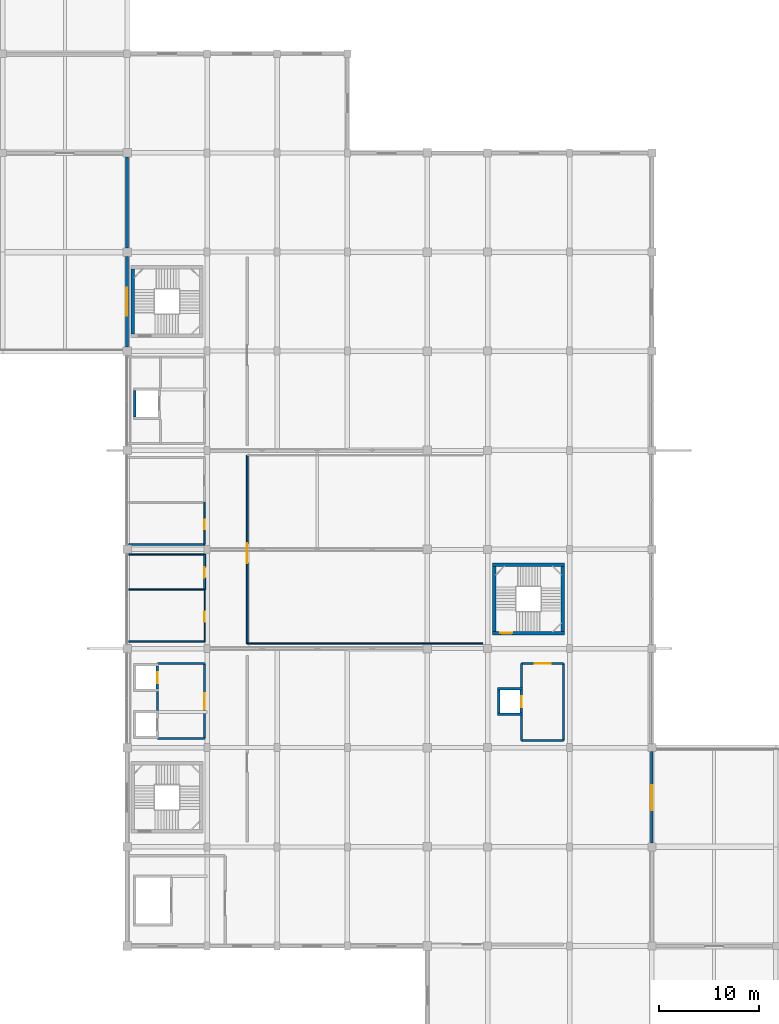
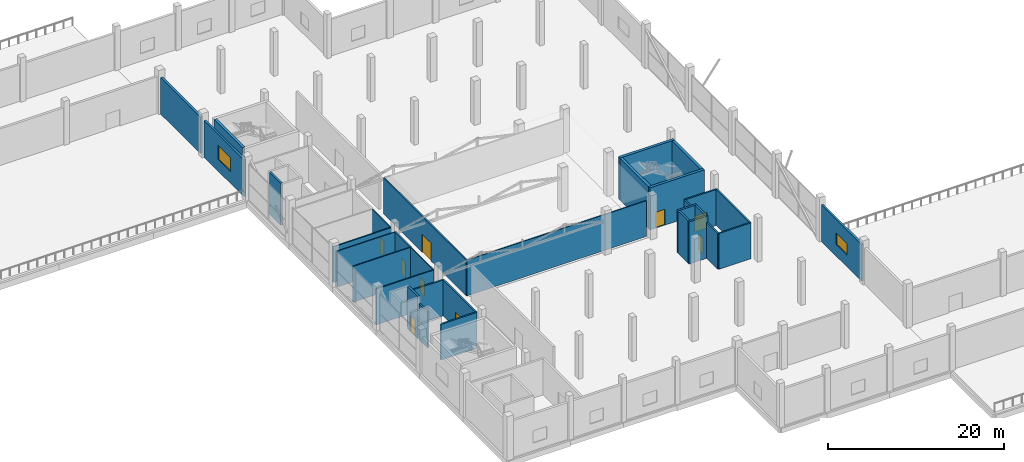
# One storey, part 27 of 46: 32 walls, 9 doors, 2 windows, 11 openings.
"""IFC4 building model written with IfcOpenShell, lengths in metres."""

import ifcopenshell
import ifcopenshell.guid

model = None  # the IFC model being written
_history = None  # IfcOwnerHistory: only IFC2X3 demands one
_inside = {}  # id of a spatial element -> (the spatial element, [elements in it])
_under = {}  # id of a project, library or spatial element -> (it, [spatial elements below it])
_declared = {}  # id of a project -> (the project, [libraries it declares])
_typed = {}  # id of a type object -> (the type object, [elements of that type])
_made_of = {}  # id of a material, layer set ... -> (it, [elements and type objects made of it])


def new_model(schema):
    """Start an empty IFC model of exactly this schema.

    Asked for "IFC4X3", IfcOpenShell would pick the latest addendum, in which some entities
    have other attributes; the version numbers below select the first issue.
    IFC2X3 requires an IfcOwnerHistory on every rooted entity: one is made here for all.
    """
    global model, _history
    if schema == "IFC4X3":
        model = ifcopenshell.file(schema_version=(4, 3, 0, 0))
    else:
        model = ifcopenshell.file(schema=schema)
    _inside.clear()
    _under.clear()
    _declared.clear()
    _typed.clear()
    _made_of.clear()
    _history = None
    if model.schema == "IFC2X3":
        org = make("IfcOrganization", Name="unknown")
        user = make(
            "IfcPersonAndOrganization",
            ThePerson=make("IfcPerson", FamilyName="unknown"),
            TheOrganization=org,
        )
        app = make(
            "IfcApplication",
            ApplicationDeveloper=org,
            Version="unknown",
            ApplicationFullName="unknown",
            ApplicationIdentifier="unknown",
        )
        _history = make(
            "IfcOwnerHistory",
            OwningUser=user,
            OwningApplication=app,
            ChangeAction="ADDED",
            CreationDate=0,
        )
    return model


def make(cls, **values):
    """One entity of the class cls with the attributes given. An attribute that is None is left unset."""
    return model.create_entity(
        cls, **{name: value for name, value in values.items() if value is not None}
    )


def rooted(cls, **values):
    """An entity with a GlobalId (a new one), such as an element, a storey or a relation."""
    return make(cls, GlobalId=ifcopenshell.guid.new(), OwnerHistory=_history, **values)


def si_unit(unit_type, name, prefix=None):
    """IfcSIUnit, for example si_unit("LENGTHUNIT", "METRE", prefix="MILLI")."""
    return make("IfcSIUnit", UnitType=unit_type, Prefix=prefix, Name=name)


def assignment(units):
    """IfcUnitAssignment: the units of a project."""
    return None if units is None else make("IfcUnitAssignment", Units=units)


def point(xyz):
    """IfcCartesianPoint."""
    return None if xyz is None else make("IfcCartesianPoint", Coordinates=xyz)


def direction(xyz):
    """IfcDirection."""
    return None if xyz is None else make("IfcDirection", DirectionRatios=xyz)


def frame(location, z_axis=None, x_axis=None):
    """IfcAxis2Placement3D, a coordinate frame: its origin and axes. An axis left out is left unset."""
    return make(
        "IfcAxis2Placement3D",
        Location=point(location),
        Axis=direction(z_axis),
        RefDirection=direction(x_axis),
    )


def frame_2d(location, x_axis=None):
    """IfcAxis2Placement2D, a coordinate frame in the plane: its origin and x axis."""
    return make(
        "IfcAxis2Placement2D", Location=point(location), RefDirection=direction(x_axis)
    )


def origin():
    """The frame at (0, 0, 0) with its axes left unset."""
    return frame((0.0, 0.0, 0.0))


def place(relative_to, where):
    """IfcLocalPlacement: puts the frame where relative to a parent placement (None: the world)."""
    return make(
        "IfcLocalPlacement", PlacementRelTo=relative_to, RelativePlacement=where
    )


def context(
    kind, dimensions, precision=None, world=None, true_north=None, identifier=None
):
    """IfcGeometricRepresentationContext, for example the 3D "Model" context."""
    return make(
        "IfcGeometricRepresentationContext",
        ContextIdentifier=identifier,
        ContextType=kind,
        CoordinateSpaceDimension=dimensions,
        Precision=precision,
        WorldCoordinateSystem=world,
        TrueNorth=true_north,
    )


def subcontext(parent, identifier, kind, view, scale=None):
    """IfcGeometricRepresentationSubContext, for example "Body" below "Model"."""
    return make(
        "IfcGeometricRepresentationSubContext",
        ContextIdentifier=identifier,
        ContextType=kind,
        ParentContext=parent,
        TargetScale=scale,
        TargetView=view,
    )


def project(units=None, contexts=None):
    """IfcProject with its units and contexts."""
    return rooted(
        "IfcProject",
        Name="project",
        RepresentationContexts=contexts,
        UnitsInContext=assignment(units),
    )


def spatial(cls, under=None, at=None, **own):
    """A site, building, storey or space (cls), placed at a placement, below another one or the project."""
    s = rooted(cls, ObjectPlacement=at, **own)
    if under is not None:
        _under.setdefault(under.id(), (under, []))[1].append(s)
    return s


def profile(cls, at=None, kind="AREA", **sizes):
    """A parametric profile (cls). Its sizes go by their IFC names, for example OverallWidth=200.0."""
    return make(cls, ProfileType=kind, Position=at, **sizes)


def rectangle(**sizes):
    """IfcRectangleProfileDef."""
    return profile("IfcRectangleProfileDef", **sizes)


def extrude(swept, where, along, depth):
    """IfcExtrudedAreaSolid: the profile swept, set in the frame where, extruded along a direction by depth."""
    return make(
        "IfcExtrudedAreaSolid",
        SweptArea=swept,
        Position=where,
        ExtrudedDirection=direction(along),
        Depth=depth,
    )


def shape(context_of_items, identifier, shape_type, items):
    """IfcShapeRepresentation: the items that make up one representation, for example the "Body"."""
    return make(
        "IfcShapeRepresentation",
        ContextOfItems=context_of_items,
        RepresentationIdentifier=identifier,
        RepresentationType=shape_type,
        Items=items,
    )


def material(Name=None, Category=None):
    """IfcMaterial."""
    return make("IfcMaterial", Name=Name, Category=Category)


def layer(
    of_material, thickness, ventilated=None, Name=None, Category=None, Priority=None
):
    """IfcMaterialLayer: one layer of a wall or slab, of a material (None: an air gap)."""
    return make(
        "IfcMaterialLayer",
        Material=of_material,
        LayerThickness=thickness,
        IsVentilated=ventilated,
        Name=Name,
        Category=Category,
        Priority=Priority,
    )


def layer_set(layers, Name=None):
    """IfcMaterialLayerSet."""
    return make("IfcMaterialLayerSet", MaterialLayers=layers, LayerSetName=Name)


def made_of(thing, what):
    """Note that an element or type object is made of a material, layer set ...; save() writes the relation."""
    if what is not None:
        _made_of.setdefault(what.id(), (what, []))[1].append(thing)
    return thing


def type_object(cls, material=None, **own):
    """A type object (cls), such as IfcWallType, which elements share."""
    return made_of(rooted(cls, **own), material)


def element(
    cls,
    number,
    at=None,
    inside=None,
    cuts=None,
    type_object=None,
    material=None,
    context=None,
    identifier="Body",
    shape_type=None,
    held_by="IfcProductDefinitionShape",
    body=None,
    shapes=None,
    **own,
):
    """One element of the class cls, such as IfcWall. Its Tag is "e" and its number.

    at: its placement. inside: the storey or other place that contains it. cuts: it is an
    opening in that element (IfcRelVoidsElement). A single representation is given by context,
    identifier, shape_type and body (its items); several are given by shapes. held_by: the class
    of the entity that holds the representations. save() writes the other relations.
    """
    e = rooted(cls, Tag="e%d" % number, ObjectPlacement=at, **own)
    if body is not None:
        shapes = [shape(context, identifier, shape_type, body)]
    if shapes is not None:
        e.Representation = make(held_by, Representations=shapes)
    if inside is not None:
        _inside.setdefault(inside.id(), (inside, []))[1].append(e)
    if cuts is not None:
        rooted(
            "IfcRelVoidsElement", RelatingBuildingElement=cuts, RelatedOpeningElement=e
        )
    if type_object is not None:
        _typed.setdefault(type_object.id(), (type_object, []))[1].append(e)
    return made_of(e, material)


def fill(opening, filler):
    """IfcRelFillsElement: the door or window that sits in an opening."""
    return rooted(
        "IfcRelFillsElement",
        RelatingOpeningElement=opening,
        RelatedBuildingElement=filler,
    )


def aggregate(whole, parts):
    """IfcRelAggregates: a whole, such as a stair, and the parts it consists of."""
    return rooted("IfcRelAggregates", RelatingObject=whole, RelatedObjects=parts)


def save(model, path):
    """Write the relations noted so far, then the file.

    IfcRelAggregates (storeys below a building ...), IfcRelContainedInSpatialStructure (elements
    in a storey), IfcRelDefinesByType, IfcRelAssociatesMaterial and IfcRelDeclares: one each for
    every whole, place, type object, material and project.
    """
    for whole, parts in _under.values():
        aggregate(whole, parts)
    for where, things in _inside.values():
        rooted(
            "IfcRelContainedInSpatialStructure",
            RelatedElements=things,
            RelatingStructure=where,
        )
    for kind, things in _typed.values():
        rooted("IfcRelDefinesByType", RelatedObjects=things, RelatingType=kind)
    for what, things in _made_of.values():
        rooted("IfcRelAssociatesMaterial", RelatedObjects=things, RelatingMaterial=what)
    for by, libraries in _declared.values():
        rooted("IfcRelDeclares", RelatingContext=by, RelatedDefinitions=libraries)
    model.write(path)


model = new_model("IFC4")

# Units and contexts
model_context = context("Model", 3, precision=1e-05, world=origin(), true_north=direction((0.0, 1.0)))
body_context = subcontext(model_context, "Body", "Model", "MODEL_VIEW")
ifc_project = project(units=[si_unit("LENGTHUNIT", "METRE"), si_unit("AREAUNIT", "SQUARE_METRE"), si_unit("VOLUMEUNIT", "CUBIC_METRE"), si_unit("PLANEANGLEUNIT", "RADIAN"), si_unit("MASSUNIT", "GRAM", prefix="KILO")], contexts=[model_context])

# Site, building, storey
site_placement = place(None, origin())
site = spatial("IfcSite", under=ifc_project, at=site_placement, CompositionType="ELEMENT")
building_placement = place(site_placement, origin())
building = spatial("IfcBuilding", under=site, at=building_placement, Name="Sillaruma Civic Art Gallery", CompositionType="ELEMENT")
storey_placement = place(building_placement, frame((0.0, 0.0, 16.320068359375)))
storey = spatial("IfcBuildingStorey", under=building, at=storey_placement, Name="L03", CompositionType="ELEMENT", Elevation=16.320068359375)

# Wall
ifc_material_1 = material(Name="Concrete H40 (40 MPa)", Category="concrete")
ifc_layer_1 = layer(ifc_material_1, 0.35009765625, Name="Concrete H40 (40 MPa)")
ifc_layer_set_1 = layer_set([ifc_layer_1], Name="Concrete H40 (40 MPa)")
wall_type_1 = type_object("IfcWallType", Name="WAL-CORE-350", PredefinedType="SHEAR", material=ifc_layer_set_1)
wall_1_placement = place(storey_placement, frame((62.5849609375, 80.909912109375, 0.0), z_axis=(0.0, 0.0, 1.0), x_axis=(0.0, 1.0, 0.0)))
element("IfcWall", 1, at=wall_1_placement, inside=storey, type_object=wall_type_1, Name="Stair Core Shear Wall W-CORE-350 (ST-02:L03:W)", PredefinedType="SHEAR", context=body_context, shape_type="SweptSolid", body=[
    extrude(rectangle(XDim=6.47998046875, YDim=0.35009765625, at=frame_2d((3.239990234375, 0.0))), origin(), (0.0, 0.0, 1.0), 5.85986328125),
])

# Wall, opening, door
wall_2_placement = place(storey_placement, frame((98.510009765625, 51.034912109375, 0.0), z_axis=(0.0, 0.0, 1.0), x_axis=(1.0, 0.0, 0.0)))
wall_2 = element("IfcWall", 2, at=wall_2_placement, inside=storey, type_object=wall_type_1, Name="Stair Core Shear Wall W-CORE-350 (ST-04:L03:S)", PredefinedType="SHEAR", context=body_context, shape_type="SweptSolid", body=[
    extrude(rectangle(XDim=7.179931640625, YDim=0.35009765625, at=frame_2d((3.58984375, 0.0))), origin(), (0.0, 0.0, 1.0), 5.85986328125),
])
opening_1_placement = place(wall_2_placement, frame((0.77001953125, 0.0, 0.0)))
opening_1 = element("IfcOpeningElement", 3, at=opening_1_placement, cuts=wall_2, Name="Opening D-STAIR", PredefinedType="OPENING", context=body_context, shape_type="SweptSolid", body=[
    extrude(rectangle(XDim=1.199951171875, YDim=2.199951171875, at=frame_2d((0.60009765625, 1.10009765625))), frame((0.0, 0.18505859375, 0.0), z_axis=(0.0, -1.0, 0.0), x_axis=(1.0, 0.0, 0.0)), (0.0, 0.0, 1.0), 0.3701171875),
])
ifc_material_2 = material(Name="Galvanised Steel ASTM A653 Gr.50", Category="steel")
door_type_1 = type_object("IfcDoorType", Name="DOR-STAIR-120", OperationType="NOTDEFINED", PredefinedType="DOOR", material=ifc_material_2)
door_1_placement = place(opening_1_placement, origin())
door_1 = element("IfcDoor", 4, at=door_1_placement, inside=storey, type_object=door_type_1, Name="Protected Stair Fire Door (ST-04:L03)", OperationType="SINGLE_SWING_LEFT", OverallHeight=2.199951171875, OverallWidth=1.199951171875, PredefinedType="DOOR", context=body_context, shape_type="SweptSolid", body=[
    extrude(rectangle(XDim=1.199951171875, YDim=2.199951171875, at=frame_2d((0.60009765625, 1.10009765625))), frame((0.0, 0.02490234375, 0.0), z_axis=(0.0, -1.0, 0.0), x_axis=(1.0, 0.0, 0.0)), (0.0, 0.0, 1.0), 0.050048828125),
])
fill(opening_1, door_1)

# Walls
wall_3_placement = place(storey_placement, frame((98.510009765625, 57.864990234375, 0.0), z_axis=(0.0, 0.0, 1.0), x_axis=(1.0, 0.0, 0.0)))
element("IfcWall", 5, at=wall_3_placement, inside=storey, type_object=wall_type_1, Name="Stair Core Shear Wall W-CORE-350 (ST-04:L03:N)", PredefinedType="SHEAR", context=body_context, shape_type="SweptSolid", body=[
    extrude(rectangle(XDim=7.179931640625, YDim=0.35009765625, at=frame_2d((3.58984375, 0.0))), origin(), (0.0, 0.0, 1.0), 5.85986328125),
])
for number, where, z_axis, x_axis, name in (
    (6, (98.68505859375, 51.2099609375, 0.0), (0.0, 0.0, 1.0), (0.0, 1.0, 0.0), "Stair Core Shear Wall W-CORE-350 (ST-04:L03:W)"),
    (7, (105.514892578125, 51.2099609375, 0.0), (0.0, 0.0, 1.0), (0.0, 1.0, 0.0), "Stair Core Shear Wall W-CORE-350 (ST-04:L03:E)"),
):
    element("IfcWall", number, at=place(storey_placement, frame(where, z_axis=z_axis, x_axis=x_axis)), inside=storey, type_object=wall_type_1, Name=name, PredefinedType="SHEAR", context=body_context, shape_type="SweptSolid", body=[
        extrude(rectangle(XDim=6.47998046875, YDim=0.35009765625, at=frame_2d((3.239990234375, 0.0))), origin(), (0.0, 0.0, 1.0), 5.85986328125),
    ])

# Wall, opening, window
ifc_material_3 = material(Name="Concrete H35 (35 MPa)", Category="concrete")
ifc_layer_2 = layer(ifc_material_3, 0.159912109375, Name="Concrete backup", Category="concrete")
ifc_material_4 = material(Name="Mineral Wool Thermal Insulation", Category="insulation")
ifc_layer_3 = layer(ifc_material_4, 0.090087890625, Name="Thermal insulation", Category="insulation")
ifc_material_5 = material(Name="Anodised Zinc-Aluminium Alloy", Category="aluminium")
ifc_layer_4 = layer(ifc_material_5, 0.030029296875, Name="Rainscreen finish", Category="aluminium")
ifc_layer_set_2 = layer_set([ifc_layer_2, ifc_layer_3, ifc_layer_4], Name="W-EXT-280")
wall_type_2 = type_object("IfcWallType", Name="WAL-EXT-280", PredefinedType="SOLIDWALL", material=ifc_layer_set_2)
wall_4_placement = place(storey_placement, frame((114.39990234375, 30.10009765625, 0.0), z_axis=(0.0, 0.0, 1.0), x_axis=(0.0, 1.0, 0.0)))
wall_4 = element("IfcWall", 8, at=wall_4_placement, inside=storey, type_object=wall_type_2, Name="Exterior Wall W-EXT-280 (EW-L03-E-2)", PredefinedType="SOLIDWALL", context=body_context, shape_type="SweptSolid", body=[
    extrude(rectangle(XDim=9.099853515625, YDim=0.280029296875, at=frame_2d((4.5498046875, 0.0))), origin(), (0.0, 0.0, 1.0), 5.079833984375),
])
opening_2_placement = place(wall_4_placement, frame((3.25, 0.0, 1.64990234375)))
opening_2 = element("IfcOpeningElement", 9, at=opening_2_placement, cuts=wall_4, Name="Opening WN-11", PredefinedType="OPENING", context=body_context, shape_type="SweptSolid", body=[
    extrude(rectangle(XDim=2.5, YDim=1.60009765625, at=frame_2d((1.25, 0.800048828125))), frame((0.0, 0.14990234375, 0.0), z_axis=(0.0, -1.0, 0.0), x_axis=(1.0, 0.0, 0.0)), (0.0, 0.0, 1.0), 0.300048828125),
])
ifc_material_6 = material(Name="Thermally Broken Extruded Aluminium 6063-T6", Category="aluminium")
window_type_1 = type_object("IfcWindowType", Name="WIN-W11", PartitioningType="SINGLE_PANEL", PredefinedType="WINDOW", material=ifc_material_6)
window_1_placement = place(opening_2_placement, origin())
window_1 = element("IfcWindow", 10, at=window_1_placement, inside=storey, type_object=window_type_1, Name="Window WN-11 (EW-L03-E-2-1)", OverallHeight=1.60009765625, OverallWidth=2.5, PartitioningType="SINGLE_PANEL", PredefinedType="WINDOW", context=body_context, shape_type="SweptSolid", body=[
    extrude(rectangle(XDim=2.5, YDim=1.60009765625, at=frame_2d((1.25, 0.800048828125))), frame((0.0, 0.030029296875, 0.0), z_axis=(0.0, -1.0, 0.0), x_axis=(1.0, 0.0, 0.0)), (0.0, 0.0, 1.0), 0.06005859375),
])
fill(opening_2, window_1)

wall_5_placement = place(storey_placement, frame((62.0, 79.625, 0.0), z_axis=(0.0, 0.0, 1.0), x_axis=(0.0, 1.0, 0.0)))
wall_5 = element("IfcWall", 11, at=wall_5_placement, inside=storey, type_object=wall_type_2, Name="Exterior Wall W-EXT-280 (EW-L03-W-7)", PredefinedType="SOLIDWALL", context=body_context, shape_type="SweptSolid", body=[
    extrude(rectangle(XDim=9.050048828125, YDim=0.280029296875, at=frame_2d((4.52490234375, 0.0))), origin(), (0.0, 0.0, 1.0), 5.079833984375),
])
opening_3_placement = place(wall_5_placement, frame((3.10009765625, 0.0, 1.64990234375)))
opening_3 = element("IfcOpeningElement", 12, at=opening_3_placement, cuts=wall_5, Name="Opening WN-09", PredefinedType="OPENING", context=body_context, shape_type="SweptSolid", body=[
    extrude(rectangle(XDim=2.800048828125, YDim=1.89990234375, at=frame_2d((1.39990234375, 0.949951171875))), frame((0.0, 0.14990234375, 0.0), z_axis=(0.0, -1.0, 0.0), x_axis=(1.0, 0.0, 0.0)), (0.0, 0.0, 1.0), 0.300048828125),
])
window_type_2 = type_object("IfcWindowType", Name="WIN-W09", PartitioningType="SINGLE_PANEL", PredefinedType="WINDOW", material=ifc_material_6)
window_2_placement = place(opening_3_placement, origin())
window_2 = element("IfcWindow", 13, at=window_2_placement, inside=storey, type_object=window_type_2, Name="Window WN-09 (EW-L03-W-7-1)", OverallHeight=1.89990234375, OverallWidth=2.800048828125, PartitioningType="SINGLE_PANEL", PredefinedType="WINDOW", context=body_context, shape_type="SweptSolid", body=[
    extrude(rectangle(XDim=2.800048828125, YDim=1.89990234375, at=frame_2d((1.39990234375, 0.949951171875))), frame((0.0, 0.030029296875, 0.0), z_axis=(0.0, -1.0, 0.0), x_axis=(1.0, 0.0, 0.0)), (0.0, 0.0, 1.0), 0.06005859375),
])
fill(opening_3, window_2)

# Walls
ifc_material_7 = material(Name="Precast Concrete H35 (35 MPa)", Category="concrete")
ifc_layer_5 = layer(ifc_material_7, 0.179931640625, Name="Precast backup", Category="concrete")
ifc_layer_6 = layer(ifc_material_4, 0.090087890625, Name="Thermal insulation", Category="insulation")
ifc_material_8 = material(Name="Comanche Granitic Ashlar Stone", Category="masonry")
ifc_layer_7 = layer(ifc_material_8, 0.030029296875, Name="Rainscreen cladding", Category="masonry")
ifc_layer_set_3 = layer_set([ifc_layer_5, ifc_layer_6, ifc_layer_7], Name="W-EXT-300")
wall_type_3 = type_object("IfcWallType", Name="WAL-EXT-300", PredefinedType="SOLIDWALL", material=ifc_layer_set_3)
wall_6_placement = place(storey_placement, frame((62.0, 89.52490234375, 0.0), z_axis=(0.0, 0.0, 1.0), x_axis=(0.0, 1.0, 0.0)))
element("IfcWall", 14, at=wall_6_placement, inside=storey, type_object=wall_type_3, Name="Exterior Wall W-EXT-300 (EW-L03-W-8)", PredefinedType="SOLIDWALL", context=body_context, shape_type="SweptSolid", body=[
    extrude(rectangle(XDim=9.050048828125, YDim=0.300048828125, at=frame_2d((4.52490234375, 0.0))), origin(), (0.0, 0.0, 1.0), 5.079833984375),
])
ifc_material_9 = material(Name="Concrete Masonry Unit Grade M15", Category="masonry")
ifc_layer_8 = layer(ifc_material_9, 0.199951171875, Name="Concrete Masonry Unit Grade M15")
ifc_layer_set_4 = layer_set([ifc_layer_8], Name="Concrete Masonry Unit Grade M15")
wall_type_4 = type_object("IfcWallType", Name="WAL-LOBBY-200", PredefinedType="SOLIDWALL", material=ifc_layer_set_4)
for number, where, z_axis, x_axis, name in (
    (15, (65.050048828125, 40.5, 0.0), (0.0, 0.0, 1.0), (1.0, 0.0, 0.0), "Interior Wall W-LOBBY-200 (L03-LLW)"),
    (16, (65.050048828125, 48.0, 0.0), (0.0, 0.0, 1.0), (1.0, 0.0, 0.0), "Interior Wall W-LOBBY-200 (L03-LLW)"),
):
    element("IfcWall", number, at=place(storey_placement, frame(where, z_axis=z_axis, x_axis=x_axis)), inside=storey, type_object=wall_type_4, Name=name, PredefinedType="SOLIDWALL", context=body_context, shape_type="SweptSolid", body=[
        extrude(rectangle(XDim=4.699951171875, YDim=0.199951171875, at=frame_2d((2.35009765625, 0.0))), origin(), (0.0, 0.0, 1.0), 4.97998046875),
    ])
wall_7_placement = place(storey_placement, frame((65.050048828125, 43.300048828125, 0.0), z_axis=(0.0, 0.0, 1.0), x_axis=(0.0, 1.0, 0.0)))
element("IfcWall", 17, at=wall_7_placement, inside=storey, type_object=wall_type_4, Name="Interior Wall W-LOBBY-200 (L03-LLW)", PredefinedType="SOLIDWALL", context=body_context, shape_type="SweptSolid", body=[
    extrude(rectangle(XDim=1.89990234375, YDim=0.199951171875, at=frame_2d((0.949951171875, 0.0))), origin(), (0.0, 0.0, 1.0), 4.97998046875),
])

# Wall, opening, door
wall_8_placement = place(storey_placement, frame((69.75, 40.5, 0.0), z_axis=(0.0, 0.0, 1.0), x_axis=(0.0, 1.0, 0.0)))
wall_8 = element("IfcWall", 18, at=wall_8_placement, inside=storey, type_object=wall_type_4, Name="Interior Wall W-LOBBY-200 (L03-LLW)", PredefinedType="SOLIDWALL", context=body_context, shape_type="SweptSolid", body=[
    extrude(rectangle(XDim=7.5, YDim=0.199951171875, at=frame_2d((3.75, 0.0))), origin(), (0.0, 0.0, 1.0), 4.97998046875),
])
opening_4_placement = place(wall_8_placement, frame((2.949951171875, 0.0, 0.0)))
opening_4 = element("IfcOpeningElement", 19, at=opening_4_placement, cuts=wall_8, Name="Opening D-LOBBY", PredefinedType="OPENING", context=body_context, shape_type="SweptSolid", body=[
    extrude(rectangle(XDim=1.60009765625, YDim=2.199951171875, at=frame_2d((0.800048828125, 1.10009765625))), frame((0.0, 0.10986328125, 0.0), z_axis=(0.0, -1.0, 0.0), x_axis=(1.0, 0.0, 0.0)), (0.0, 0.0, 1.0), 0.219970703125),
])
door_type_2 = type_object("IfcDoorType", Name="DOR-LOBBY-160", OperationType="NOTDEFINED", PredefinedType="DOOR", material=ifc_material_6)
door_2_placement = place(opening_4_placement, origin())
door_2 = element("IfcDoor", 20, at=door_2_placement, inside=storey, type_object=door_type_2, Name="West Lift Lobby Door (D-LOBBY)", OperationType="DOUBLE_DOOR_SINGLE_SWING", OverallHeight=2.199951171875, OverallWidth=1.60009765625, PredefinedType="DOOR", context=body_context, shape_type="SweptSolid", body=[
    extrude(rectangle(XDim=1.60009765625, YDim=2.199951171875, at=frame_2d((0.800048828125, 1.10009765625))), frame((0.0, 0.02490234375, 0.0), z_axis=(0.0, -1.0, 0.0), x_axis=(1.0, 0.0, 0.0)), (0.0, 0.0, 1.0), 0.050048828125),
])
fill(opening_4, door_2)

# Walls
wall_9_placement = place(storey_placement, frame((101.39990234375, 40.300048828125, 0.0), z_axis=(0.0, 0.0, 1.0), x_axis=(1.0, 0.0, 0.0)))
element("IfcWall", 21, at=wall_9_placement, inside=storey, type_object=wall_type_4, Name="Interior Wall W-LOBBY-200 (L03-LLE)", PredefinedType="SOLIDWALL", context=body_context, shape_type="SweptSolid", body=[
    extrude(rectangle(XDim=4.2001953125, YDim=0.199951171875, at=frame_2d((2.10009765625, 0.0))), origin(), (0.0, 0.0, 1.0), 4.97998046875),
])
wall_10_placement = place(storey_placement, frame((101.39990234375, 40.300048828125, 0.0), z_axis=(0.0, 0.0, 1.0), x_axis=(0.0, 1.0, 0.0)))
element("IfcWall", 22, at=wall_10_placement, inside=storey, type_object=wall_type_4, Name="Interior Wall W-LOBBY-200 (L03-LLE)", PredefinedType="SOLIDWALL", context=body_context, shape_type="SweptSolid", body=[
    extrude(rectangle(XDim=2.5, YDim=0.199951171875, at=frame_2d((1.25, 0.0))), origin(), (0.0, 0.0, 1.0), 4.97998046875),
])
wall_11_placement = place(storey_placement, frame((101.39990234375, 45.60009765625, 0.0), z_axis=(0.0, 0.0, 1.0), x_axis=(0.0, 1.0, 0.0)))
element("IfcWall", 23, at=wall_11_placement, inside=storey, type_object=wall_type_4, Name="Interior Wall W-LOBBY-200 (L03-LLE)", PredefinedType="SOLIDWALL", context=body_context, shape_type="SweptSolid", body=[
    extrude(rectangle(XDim=2.39990234375, YDim=0.199951171875, at=frame_2d((1.199951171875, 0.0))), origin(), (0.0, 0.0, 1.0), 4.97998046875),
])
wall_12_placement = place(storey_placement, frame((105.60009765625, 40.300048828125, 0.0), z_axis=(0.0, 0.0, 1.0), x_axis=(0.0, 1.0, 0.0)))
element("IfcWall", 24, at=wall_12_placement, inside=storey, type_object=wall_type_4, Name="Interior Wall W-LOBBY-200 (L03-LLE)", PredefinedType="SOLIDWALL", context=body_context, shape_type="SweptSolid", body=[
    extrude(rectangle(XDim=7.699951171875, YDim=0.199951171875, at=frame_2d((3.85009765625, 0.0))), origin(), (0.0, 0.0, 1.0), 4.97998046875),
])

# Wall, opening, door
wall_13_placement = place(storey_placement, frame((101.39990234375, 48.0, 0.0), z_axis=(0.0, 0.0, 1.0), x_axis=(1.0, 0.0, 0.0)))
wall_13 = element("IfcWall", 25, at=wall_13_placement, inside=storey, type_object=wall_type_4, Name="Interior Wall W-LOBBY-200 (L03-LLE)", PredefinedType="SOLIDWALL", context=body_context, shape_type="SweptSolid", body=[
    extrude(rectangle(XDim=4.2001953125, YDim=0.199951171875, at=frame_2d((2.10009765625, 0.0))), origin(), (0.0, 0.0, 1.0), 4.97998046875),
])
opening_5_placement = place(wall_13_placement, frame((1.300048828125, 0.0, 0.0)))
opening_5 = element("IfcOpeningElement", 26, at=opening_5_placement, cuts=wall_13, Name="Opening D-LOBBY", PredefinedType="OPENING", context=body_context, shape_type="SweptSolid", body=[
    extrude(rectangle(XDim=1.60009765625, YDim=2.199951171875, at=frame_2d((0.800048828125, 1.10009765625))), frame((0.0, 0.10986328125, 0.0), z_axis=(0.0, -1.0, 0.0), x_axis=(1.0, 0.0, 0.0)), (0.0, 0.0, 1.0), 0.219970703125),
])
door_3_placement = place(opening_5_placement, origin())
door_3 = element("IfcDoor", 27, at=door_3_placement, inside=storey, type_object=door_type_2, Name="East Lift Lobby Door (D-LOBBY)", OperationType="DOUBLE_DOOR_SINGLE_SWING", OverallHeight=2.199951171875, OverallWidth=1.60009765625, PredefinedType="DOOR", context=body_context, shape_type="SweptSolid", body=[
    extrude(rectangle(XDim=1.60009765625, YDim=2.199951171875, at=frame_2d((0.800048828125, 1.10009765625))), frame((0.0, 0.02490234375, 0.0), z_axis=(0.0, -1.0, 0.0), x_axis=(1.0, 0.0, 0.0)), (0.0, 0.0, 1.0), 0.050048828125),
])
fill(opening_5, door_3)

# Wall
ifc_material_10 = material(Name="Gypsum Acoustic Board", Category="gypsum")
ifc_layer_9 = layer(ifc_material_10, 0.02490234375, Name="Finish board", Category="gypsum")
ifc_layer_10 = layer(ifc_material_4, 0.06005859375, Name="Acoustic core", Category="insulation")
ifc_material_11 = material(Name="Andean Oak Timber", Category="wood")
ifc_layer_11 = layer(ifc_material_11, 0.02490234375, Name="Gallery lining", Category="wood")
ifc_layer_set_5 = layer_set([ifc_layer_9, ifc_layer_10, ifc_layer_11], Name="W-PT-110")
wall_type_5 = type_object("IfcWallType", Name="WAL-PART-110", PredefinedType="PARTITIONING", material=ifc_layer_set_5)
wall_14_placement = place(storey_placement, frame((62.14990234375, 58.89990234375, 0.0), z_axis=(0.0, 0.0, 1.0), x_axis=(1.0, 0.0, 0.0)))
element("IfcWall", 28, at=wall_14_placement, inside=storey, type_object=wall_type_5, Name="Interior Wall W-PT-110 (L03-WCA)", PredefinedType="PARTITIONING", context=body_context, shape_type="SweptSolid", body=[
    extrude(rectangle(XDim=7.60009765625, YDim=0.110107421875, at=frame_2d((3.800048828125, 0.0))), origin(), (0.0, 0.0, 1.0), 4.97998046875),
])

# Wall, opening, door
ifc_layer_12 = layer(ifc_material_10, 0.02490234375, Name="Finish board", Category="gypsum")
ifc_layer_13 = layer(ifc_material_4, 0.070068359375, Name="Acoustic core", Category="insulation")
ifc_layer_14 = layer(ifc_material_11, 0.02490234375, Name="Gallery lining", Category="wood")
ifc_layer_set_6 = layer_set([ifc_layer_12, ifc_layer_13, ifc_layer_14], Name="W-PT-120")
wall_type_6 = type_object("IfcWallType", Name="WAL-PART-120", PredefinedType="PARTITIONING", material=ifc_layer_set_6)
wall_15_placement = place(storey_placement, frame((69.75, 50.199951171875, 0.0), z_axis=(0.0, 0.0, 1.0), x_axis=(0.0, 1.0, 0.0)))
wall_15 = element("IfcWall", 29, at=wall_15_placement, inside=storey, type_object=wall_type_6, Name="Interior Wall W-PT-120 (L03-WC1)", PredefinedType="PARTITIONING", context=body_context, shape_type="SweptSolid", body=[
    extrude(rectangle(XDim=5.199951171875, YDim=0.1201171875, at=frame_2d((2.60009765625, 0.0))), origin(), (0.0, 0.0, 1.0), 4.97998046875),
])
opening_6_placement = place(wall_15_placement, frame((2.0, 0.0, 0.0)))
opening_6 = element("IfcOpeningElement", 30, at=opening_6_placement, cuts=wall_15, Name="Opening D-WC10", PredefinedType="OPENING", context=body_context, shape_type="SweptSolid", body=[
    extrude(rectangle(XDim=1.0, YDim=2.10009765625, at=frame_2d((0.5, 1.050048828125))), frame((0.0, 0.070068359375, 0.0), z_axis=(0.0, -1.0, 0.0), x_axis=(1.0, 0.0, 0.0)), (0.0, 0.0, 1.0), 0.14013671875),
])
door_type_3 = type_object("IfcDoorType", Name="DOR-WC-100", OperationType="NOTDEFINED", PredefinedType="DOOR", material=ifc_material_11)
door_4_placement = place(opening_6_placement, origin())
door_4 = element("IfcDoor", 31, at=door_4_placement, inside=storey, type_object=door_type_3, Name="Public WC Door (D-WC10)", OperationType="SINGLE_SWING_LEFT", OverallHeight=2.10009765625, OverallWidth=1.0, PredefinedType="DOOR", context=body_context, shape_type="SweptSolid", body=[
    extrude(rectangle(XDim=1.0, YDim=2.10009765625, at=frame_2d((0.5, 1.050048828125))), frame((0.0, 0.02490234375, 0.0), z_axis=(0.0, -1.0, 0.0), x_axis=(1.0, 0.0, 0.0)), (0.0, 0.0, 1.0), 0.050048828125),
])
fill(opening_6, door_4)

# Walls
wall_16_placement = place(storey_placement, frame((74.0, 50.0, 0.0), z_axis=(0.0, 0.0, 1.0), x_axis=(1.0, 0.0, 0.0)))
element("IfcWall", 32, at=wall_16_placement, inside=storey, type_object=wall_type_6, Name="Interior Wall W-PT-120 (L03-GAL31)", PredefinedType="PARTITIONING", context=body_context, shape_type="SweptSolid", body=[
    extrude(rectangle(XDim=23.5, YDim=0.1201171875, at=frame_2d((11.75, 0.0))), origin(), (0.0, 0.0, 1.0), 4.97998046875),
])
ifc_layer_15 = layer(ifc_material_10, 0.02490234375, Name="Finish board", Category="gypsum")
ifc_layer_16 = layer(ifc_material_4, 0.080078125, Name="Acoustic core", Category="insulation")
ifc_layer_17 = layer(ifc_material_11, 0.02490234375, Name="Gallery lining", Category="wood")
ifc_layer_set_7 = layer_set([ifc_layer_15, ifc_layer_16, ifc_layer_17], Name="W-PT-130")
wall_type_7 = type_object("IfcWallType", Name="WAL-PART-130", PredefinedType="PARTITIONING", material=ifc_layer_set_7)
wall_17_placement = place(storey_placement, frame((62.14990234375, 55.39990234375, 0.0), z_axis=(0.0, 0.0, 1.0), x_axis=(1.0, 0.0, 0.0)))
element("IfcWall", 33, at=wall_17_placement, inside=storey, type_object=wall_type_7, Name="Interior Wall W-PT-130 (L03-WC1)", PredefinedType="PARTITIONING", context=body_context, shape_type="SweptSolid", body=[
    extrude(rectangle(XDim=7.60009765625, YDim=0.1298828125, at=frame_2d((3.800048828125, 0.0))), origin(), (0.0, 0.0, 1.0), 4.97998046875),
])
ifc_layer_18 = layer(ifc_material_10, 0.02490234375, Name="Finish board", Category="gypsum")
ifc_layer_19 = layer(ifc_material_4, 0.090087890625, Name="Acoustic core", Category="insulation")
ifc_layer_20 = layer(ifc_material_11, 0.02490234375, Name="Gallery lining", Category="wood")
ifc_layer_set_8 = layer_set([ifc_layer_18, ifc_layer_19, ifc_layer_20], Name="W-PT-140")
wall_type_8 = type_object("IfcWallType", Name="WAL-PART-140", PredefinedType="PARTITIONING", material=ifc_layer_set_8)
wall_18_placement = place(storey_placement, frame((62.14990234375, 50.199951171875, 0.0), z_axis=(0.0, 0.0, 1.0), x_axis=(1.0, 0.0, 0.0)))
element("IfcWall", 34, at=wall_18_placement, inside=storey, type_object=wall_type_8, Name="Interior Wall W-PT-140 (L03-WC1)", PredefinedType="PARTITIONING", context=body_context, shape_type="SweptSolid", body=[
    extrude(rectangle(XDim=7.60009765625, YDim=0.139892578125, at=frame_2d((3.800048828125, 0.0))), origin(), (0.0, 0.0, 1.0), 4.97998046875),
])

# Wall, opening, door
wall_19_placement = place(storey_placement, frame((69.75, 59.89990234375, 0.0), z_axis=(0.0, 0.0, 1.0), x_axis=(0.0, 1.0, 0.0)))
wall_19 = element("IfcWall", 35, at=wall_19_placement, inside=storey, type_object=wall_type_8, Name="Interior Wall W-PT-140 (L03-CLN)", PredefinedType="PARTITIONING", context=body_context, shape_type="SweptSolid", body=[
    extrude(rectangle(XDim=4.2001953125, YDim=0.139892578125, at=frame_2d((2.10009765625, 0.0))), origin(), (0.0, 0.0, 1.0), 4.97998046875),
])
opening_7_placement = place(wall_19_placement, frame((1.5, 0.0, 0.0)))
opening_7 = element("IfcOpeningElement", 36, at=opening_7_placement, cuts=wall_19, Name="Opening D-SVC09", PredefinedType="OPENING", context=body_context, shape_type="SweptSolid", body=[
    extrude(rectangle(XDim=0.949951171875, YDim=2.10009765625, at=frame_2d((0.47509765625, 1.050048828125))), frame((0.0, 0.079833984375, 0.0), z_axis=(0.0, -1.0, 0.0), x_axis=(1.0, 0.0, 0.0)), (0.0, 0.0, 1.0), 0.159912109375),
])
door_type_4 = type_object("IfcDoorType", Name="DOR-SVC-095", OperationType="NOTDEFINED", PredefinedType="DOOR", material=ifc_material_11)
door_5_placement = place(opening_7_placement, origin())
door_5 = element("IfcDoor", 37, at=door_5_placement, inside=storey, type_object=door_type_4, Name="Cleaner Store Door (D-SVC09)", OperationType="SINGLE_SWING_LEFT", OverallHeight=2.10009765625, OverallWidth=0.949951171875, PredefinedType="DOOR", context=body_context, shape_type="SweptSolid", body=[
    extrude(rectangle(XDim=0.949951171875, YDim=2.10009765625, at=frame_2d((0.47509765625, 1.050048828125))), frame((0.0, 0.02490234375, 0.0), z_axis=(0.0, -1.0, 0.0), x_axis=(1.0, 0.0, 0.0)), (0.0, 0.0, 1.0), 0.050048828125),
])
fill(opening_7, door_5)

# Wall
ifc_layer_21 = layer(ifc_material_10, 0.02490234375, Name="Finish board", Category="gypsum")
ifc_layer_22 = layer(ifc_material_4, 0.114990234375, Name="Acoustic core", Category="insulation")
ifc_layer_23 = layer(ifc_material_11, 0.02490234375, Name="Gallery lining", Category="wood")
ifc_layer_set_9 = layer_set([ifc_layer_21, ifc_layer_22, ifc_layer_23], Name="W-PT-165")
wall_type_9 = type_object("IfcWallType", Name="WAL-PART-165", PredefinedType="PARTITIONING", material=ifc_layer_set_9)
wall_20_placement = place(storey_placement, frame((62.14990234375, 59.89990234375, 0.0), z_axis=(0.0, 0.0, 1.0), x_axis=(1.0, 0.0, 0.0)))
element("IfcWall", 38, at=wall_20_placement, inside=storey, type_object=wall_type_9, Name="Interior Wall W-PT-165 (L03-CLN)", PredefinedType="PARTITIONING", context=body_context, shape_type="SweptSolid", body=[
    extrude(rectangle(XDim=7.60009765625, YDim=0.1650390625, at=frame_2d((3.800048828125, 0.0))), origin(), (0.0, 0.0, 1.0), 4.97998046875),
])

# Wall, opening, door
ifc_layer_24 = layer(ifc_material_10, 0.02490234375, Name="Finish board", Category="gypsum")
ifc_layer_25 = layer(ifc_material_4, 0.1298828125, Name="Acoustic core", Category="insulation")
ifc_layer_26 = layer(ifc_material_11, 0.02490234375, Name="Gallery lining", Category="wood")
ifc_layer_set_10 = layer_set([ifc_layer_24, ifc_layer_25, ifc_layer_26], Name="W-PT-180")
wall_type_10 = type_object("IfcWallType", Name="WAL-PART-180", PredefinedType="PARTITIONING", material=ifc_layer_set_10)
wall_21_placement = place(storey_placement, frame((69.75, 55.39990234375, 0.0), z_axis=(0.0, 0.0, 1.0), x_axis=(0.0, 1.0, 0.0)))
wall_21 = element("IfcWall", 39, at=wall_21_placement, inside=storey, type_object=wall_type_10, Name="Interior Wall W-PT-180 (L03-WCA)", PredefinedType="PARTITIONING", context=body_context, shape_type="SweptSolid", body=[
    extrude(rectangle(XDim=3.5, YDim=0.179931640625, at=frame_2d((1.75, 0.0))), origin(), (0.0, 0.0, 1.0), 4.97998046875),
])
opening_8_placement = place(wall_21_placement, frame((1.14990234375, 0.0, 0.0)))
opening_8 = element("IfcOpeningElement", 40, at=opening_8_placement, cuts=wall_21, Name="Opening D-AWC10", PredefinedType="OPENING", context=body_context, shape_type="SweptSolid", body=[
    extrude(rectangle(XDim=1.050048828125, YDim=2.14990234375, at=frame_2d((0.52490234375, 1.074951171875))), frame((0.0, 0.099853515625, 0.0), z_axis=(0.0, -1.0, 0.0), x_axis=(1.0, 0.0, 0.0)), (0.0, 0.0, 1.0), 0.199951171875),
])
door_type_5 = type_object("IfcDoorType", Name="DOR-AWC-105", OperationType="NOTDEFINED", PredefinedType="DOOR", material=ifc_material_11)
door_6_placement = place(opening_8_placement, origin())
door_6 = element("IfcDoor", 41, at=door_6_placement, inside=storey, type_object=door_type_5, Name="Accessible WC Door (D-AWC10)", OperationType="SINGLE_SWING_RIGHT", OverallHeight=2.14990234375, OverallWidth=1.050048828125, PredefinedType="DOOR", context=body_context, shape_type="SweptSolid", body=[
    extrude(rectangle(XDim=1.050048828125, YDim=2.14990234375, at=frame_2d((0.52490234375, 1.074951171875))), frame((0.0, 0.02490234375, 0.0), z_axis=(0.0, -1.0, 0.0), x_axis=(1.0, 0.0, 0.0)), (0.0, 0.0, 1.0), 0.050048828125),
])
fill(opening_8, door_6)

wall_22_placement = place(storey_placement, frame((74.0, 50.0, 0.0), z_axis=(0.0, 0.0, 1.0), x_axis=(0.0, 1.0, 0.0)))
wall_22 = element("IfcWall", 42, at=wall_22_placement, inside=storey, type_object=wall_type_10, Name="Interior Wall W-PT-180 (L03-GAL31)", PredefinedType="PARTITIONING", context=body_context, shape_type="SweptSolid", body=[
    extrude(rectangle(XDim=18.800048828125, YDim=0.179931640625, at=frame_2d((9.39990234375, 0.0))), origin(), (0.0, 0.0, 1.0), 4.97998046875),
])
opening_9_placement = place(wall_22_placement, frame((8.0, 0.0, 0.0)))
opening_9 = element("IfcOpeningElement", 43, at=opening_9_placement, cuts=wall_22, Name="Opening D-GAL20", PredefinedType="OPENING", context=body_context, shape_type="SweptSolid", body=[
    extrude(rectangle(XDim=2.0, YDim=2.5, at=frame_2d((1.0, 1.25))), frame((0.0, 0.099853515625, 0.0), z_axis=(0.0, -1.0, 0.0), x_axis=(1.0, 0.0, 0.0)), (0.0, 0.0, 1.0), 0.199951171875),
])
door_type_6 = type_object("IfcDoorType", Name="DOR-GAL-200", OperationType="NOTDEFINED", PredefinedType="DOOR", material=ifc_material_11)
door_7_placement = place(opening_9_placement, origin())
door_7 = element("IfcDoor", 44, at=door_7_placement, inside=storey, type_object=door_type_6, Name="Long-Span Warren Truss Gallery Hall Door (D-GAL20)", OperationType="DOUBLE_DOOR_SINGLE_SWING", OverallHeight=2.5, OverallWidth=2.0, PredefinedType="DOOR", context=body_context, shape_type="SweptSolid", body=[
    extrude(rectangle(XDim=2.0, YDim=2.5, at=frame_2d((1.0, 1.25))), frame((0.0, 0.02490234375, 0.0), z_axis=(0.0, -1.0, 0.0), x_axis=(1.0, 0.0, 0.0)), (0.0, 0.0, 1.0), 0.050048828125),
])
fill(opening_9, door_7)

ifc_layer_27 = layer(ifc_material_1, 0.25, Name="Concrete H40 (40 MPa)")
ifc_layer_set_11 = layer_set([ifc_layer_27], Name="Concrete H40 (40 MPa)")
wall_type_11 = type_object("IfcWallType", Name="WAL-SHAFT-250", PredefinedType="SOLIDWALL", material=ifc_layer_set_11)
wall_23_placement = place(storey_placement, frame((65.02490234375, 45.449951171875, 0.0), z_axis=(0.0, 0.0, 1.0), x_axis=(0.0, 1.0, 0.0)))
wall_23 = element("IfcWall", 45, at=wall_23_placement, inside=storey, type_object=wall_type_11, Name="Lift Shaft Wall W-SHAFT-250 (PL-02:L03:E)", PredefinedType="SOLIDWALL", context=body_context, shape_type="SweptSolid", body=[
    extrude(rectangle(XDim=2.300048828125, YDim=0.25, at=frame_2d((1.14990234375, 0.0))), origin(), (0.0, 0.0, 1.0), 5.83984375),
])
opening_10_placement = place(wall_23_placement, frame((0.60009765625, 0.0, 0.0)))
opening_10 = element("IfcOpeningElement", 46, at=opening_10_placement, cuts=wall_23, Name="Opening LD-01", PredefinedType="OPENING", context=body_context, shape_type="SweptSolid", body=[
    extrude(rectangle(XDim=1.10009765625, YDim=2.199951171875, at=frame_2d((0.550048828125, 1.10009765625))), frame((0.0, 0.135009765625, 0.0), z_axis=(0.0, -1.0, 0.0), x_axis=(1.0, 0.0, 0.0)), (0.0, 0.0, 1.0), 0.27001953125),
])
door_type_7 = type_object("IfcDoorType", Name="DOR-LD-01", OperationType="NOTDEFINED", PredefinedType="DOOR", material=ifc_material_2)
door_8_placement = place(opening_10_placement, origin())
door_8 = element("IfcDoor", 47, at=door_8_placement, inside=storey, type_object=door_type_7, Name="Lift Sliding Landing Door LD-01 (PL-02:L03)", OperationType="DOUBLE_DOOR_SLIDING", OverallHeight=2.199951171875, OverallWidth=1.10009765625, PredefinedType="DOOR", context=body_context, shape_type="SweptSolid", body=[
    extrude(rectangle(XDim=1.10009765625, YDim=2.199951171875, at=frame_2d((0.550048828125, 1.10009765625))), frame((0.0, 0.02490234375, 0.0), z_axis=(0.0, -1.0, 0.0), x_axis=(1.0, 0.0, 0.0)), (0.0, 0.0, 1.0), 0.050048828125),
])
fill(opening_10, door_8)

# Walls
for number, where, z_axis, x_axis, name in (
    (48, (99.0, 42.925048828125, 0.0), (0.0, 0.0, 1.0), (1.0, 0.0, 0.0), "Lift Shaft Wall W-SHAFT-250 (PL-03:L03:S)"),
    (49, (99.0, 45.47509765625, 0.0), (0.0, 0.0, 1.0), (1.0, 0.0, 0.0), "Lift Shaft Wall W-SHAFT-250 (PL-03:L03:N)"),
):
    element("IfcWall", number, at=place(storey_placement, frame(where, z_axis=z_axis, x_axis=x_axis)), inside=storey, type_object=wall_type_11, Name=name, PredefinedType="SOLIDWALL", context=body_context, shape_type="SweptSolid", body=[
        extrude(rectangle(XDim=2.5, YDim=0.25, at=frame_2d((1.25, 0.0))), origin(), (0.0, 0.0, 1.0), 5.83984375),
    ])
wall_24_placement = place(storey_placement, frame((99.125, 43.050048828125, 0.0), z_axis=(0.0, 0.0, 1.0), x_axis=(0.0, 1.0, 0.0)))
element("IfcWall", 50, at=wall_24_placement, inside=storey, type_object=wall_type_11, Name="Lift Shaft Wall W-SHAFT-250 (PL-03:L03:W)", PredefinedType="SOLIDWALL", context=body_context, shape_type="SweptSolid", body=[
    extrude(rectangle(XDim=2.300048828125, YDim=0.25, at=frame_2d((1.14990234375, 0.0))), origin(), (0.0, 0.0, 1.0), 5.83984375),
])

# Wall, opening, door
wall_25_placement = place(storey_placement, frame((101.375, 43.050048828125, 0.0), z_axis=(0.0, 0.0, 1.0), x_axis=(0.0, 1.0, 0.0)))
wall_25 = element("IfcWall", 51, at=wall_25_placement, inside=storey, type_object=wall_type_11, Name="Lift Shaft Wall W-SHAFT-250 (PL-03:L03:E)", PredefinedType="SOLIDWALL", context=body_context, shape_type="SweptSolid", body=[
    extrude(rectangle(XDim=2.300048828125, YDim=0.25, at=frame_2d((1.14990234375, 0.0))), origin(), (0.0, 0.0, 1.0), 5.83984375),
])
opening_11_placement = place(wall_25_placement, frame((0.60009765625, 0.0, 0.0)))
opening_11 = element("IfcOpeningElement", 52, at=opening_11_placement, cuts=wall_25, Name="Opening LD-01", PredefinedType="OPENING", context=body_context, shape_type="SweptSolid", body=[
    extrude(rectangle(XDim=1.10009765625, YDim=2.199951171875, at=frame_2d((0.550048828125, 1.10009765625))), frame((0.0, 0.135009765625, 0.0), z_axis=(0.0, -1.0, 0.0), x_axis=(1.0, 0.0, 0.0)), (0.0, 0.0, 1.0), 0.27001953125),
])
door_9_placement = place(opening_11_placement, origin())
door_9 = element("IfcDoor", 53, at=door_9_placement, inside=storey, type_object=door_type_7, Name="Lift Sliding Landing Door LD-01 (PL-03:L03)", OperationType="DOUBLE_DOOR_SLIDING", OverallHeight=2.199951171875, OverallWidth=1.10009765625, PredefinedType="DOOR", context=body_context, shape_type="SweptSolid", body=[
    extrude(rectangle(XDim=1.10009765625, YDim=2.199951171875, at=frame_2d((0.550048828125, 1.10009765625))), frame((0.0, 0.02490234375, 0.0), z_axis=(0.0, -1.0, 0.0), x_axis=(1.0, 0.0, 0.0)), (0.0, 0.0, 1.0), 0.050048828125),
])
fill(opening_11, door_9)

# Wall
wall_26_placement = place(storey_placement, frame((62.77490234375, 72.64990234375, 0.0), z_axis=(0.0, 0.0, 1.0), x_axis=(0.0, 1.0, 0.0)))
element("IfcWall", 54, at=wall_26_placement, inside=storey, type_object=wall_type_11, Name="Lift Shaft Wall W-SHAFT-250 (FFL-01:L03:W)", PredefinedType="SOLIDWALL", context=body_context, shape_type="SweptSolid", body=[
    extrude(rectangle(XDim=2.60009765625, YDim=0.25, at=frame_2d((1.300048828125, 0.0))), origin(), (0.0, 0.0, 1.0), 5.83984375),
])

save(model, "model.ifc")
